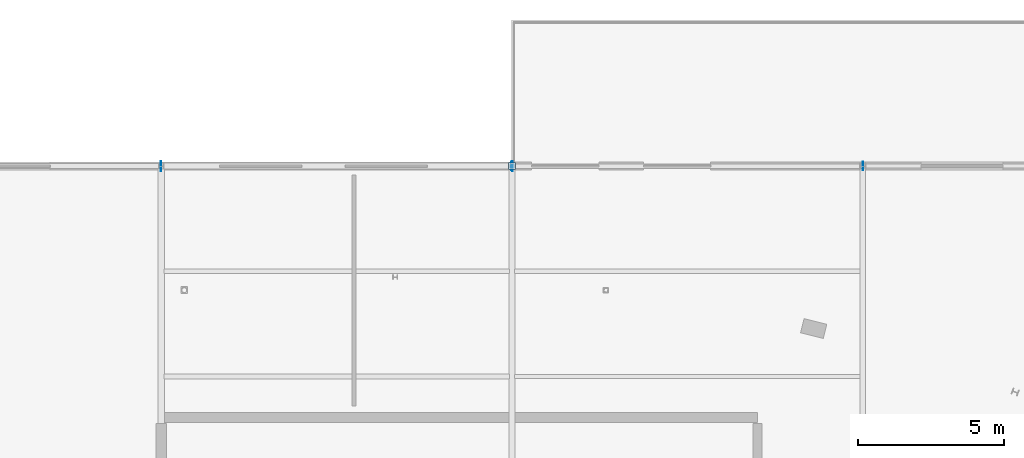
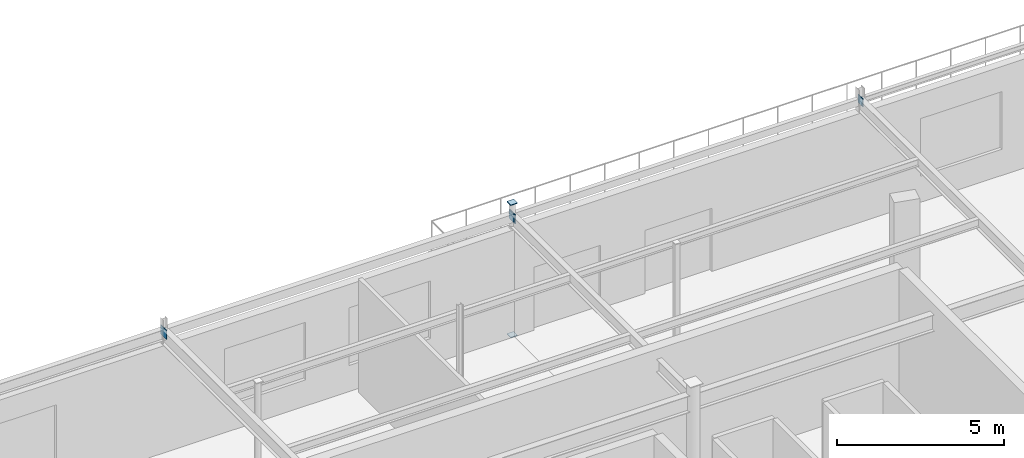
# One storey, part 155 of 199: 6 plates.
"""IFC4 building model written with IfcOpenShell, lengths in metres."""

from ifc_helpers import new_model, si_unit, direction, frame, origin, origin_2d, place, context, subcontext, project, spatial, rectangle, extrude, material, layer, layer_set, type_object, element, save


model = new_model("IFC4")

# Units and contexts
model_context = context("Model", 3, precision=1e-05, world=origin(), true_north=direction((0.0, 1.0)))
body_context = subcontext(model_context, "Body", "Model", "MODEL_VIEW")
ifc_project = project(units=[si_unit("LENGTHUNIT", "METRE"), si_unit("AREAUNIT", "SQUARE_METRE"), si_unit("VOLUMEUNIT", "CUBIC_METRE"), si_unit("PLANEANGLEUNIT", "RADIAN"), si_unit("MASSUNIT", "GRAM", prefix="KILO")], contexts=[model_context])

# Site, building, storey
site_placement = place(None, origin())
site = spatial("IfcSite", under=ifc_project, at=site_placement, CompositionType="ELEMENT")
building_placement = place(site_placement, origin())
building = spatial("IfcBuilding", under=site, at=building_placement, Name="Tarnwether General Hospital", CompositionType="ELEMENT")
storey_placement = place(building_placement, origin())
storey = spatial("IfcBuildingStorey", under=building, at=storey_placement, Name="L00", CompositionType="ELEMENT", Elevation=0.0)

# Plates
ifc_material = material(Name="Steel Grade 350 (350 MPa)", Category="steel")
ifc_layer = layer(ifc_material, 0.02490234375)
ifc_layer_set = layer_set([ifc_layer], Name="Steel Grade 350 (350 MPa)")
plate_type = type_object("IfcPlateType", Name="PT-GUS2", PredefinedType="USERDEFINED", material=ifc_layer_set)
for number, where, z_axis, x_axis, name in (
    (1, (96.0, 126.0, -0.02490234375), (0.0, 0.0, 1.0), (1.0, 0.0, 0.0), "Hollow Section Welded End Cap Plate 0181"),
    (2, (96.0, 126.0, 4.800048828125), (0.0, 0.0, 1.0), (1.0, 0.0, 0.0), "Hollow Section Welded End Cap Plate 0182"),
):
    element("IfcPlate", number, at=place(storey_placement, frame(where, z_axis=z_axis, x_axis=x_axis)), inside=storey, type_object=plate_type, Name=name, ObjectType="GUSSET", PredefinedType="USERDEFINED", context=body_context, shape_type="SweptSolid", body=[
        extrude(rectangle(XDim=0.23388671875, YDim=0.23388671875, at=origin_2d()), origin(), (0.0, 0.0, 1.0), 0.02490234375),
    ])
for number, where, z_axis, x_axis, name in (
    (3, (83.987548828125, 126.0, 4.125), (0.0, 0.0, 1.0), (1.0, 0.0, 0.0), "Hollow Section Welded End Cap Plate 0881"),
    (4, (96.012451171875, 126.0, 4.125), (0.0, 0.0, 1.0), (1.0, 0.0, 0.0), "Hollow Section Welded End Cap Plate 0882"),
):
    element("IfcPlate", number, at=place(storey_placement, frame(where, z_axis=z_axis, x_axis=x_axis)), inside=storey, type_object=plate_type, Name=name, ObjectType="GUSSET", PredefinedType="USERDEFINED", context=body_context, shape_type="SweptSolid", body=[
        extrude(rectangle(XDim=0.02490234375, YDim=0.340087890625, at=origin_2d()), origin(), (0.0, 0.0, 1.0), 0.340087890625),
    ])
for number, where, z_axis, x_axis, name in (
    (5, (95.987548828125, 126.0, 4.175048828125), (0.0, 0.0, 1.0), (1.0, 0.0, 0.0), "Hollow Section Welded End Cap Plate 0883"),
    (6, (108.012451171875, 126.0, 4.175048828125), (0.0, 0.0, 1.0), (1.0, 0.0, 0.0), "Hollow Section Welded End Cap Plate 0884"),
):
    element("IfcPlate", number, at=place(storey_placement, frame(where, z_axis=z_axis, x_axis=x_axis)), inside=storey, type_object=plate_type, Name=name, ObjectType="GUSSET", PredefinedType="USERDEFINED", context=body_context, shape_type="SweptSolid", body=[
        extrude(rectangle(XDim=0.02490234375, YDim=0.2900390625, at=origin_2d()), origin(), (0.0, 0.0, 1.0), 0.2900390625),
    ])

save(model, "model.ifc")
